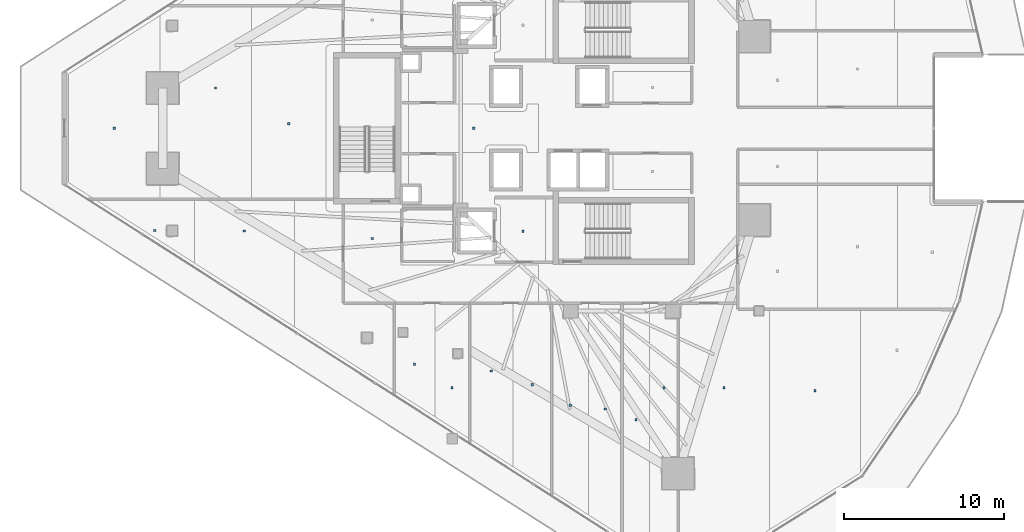
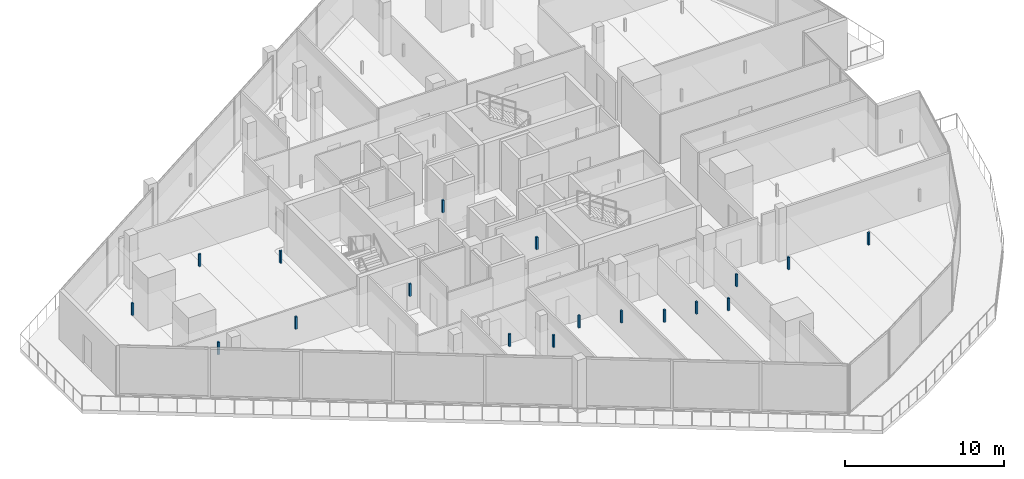
# One storey, part 28 of 37: 18 discrete accessories.
"""IFC4 building model written with IfcOpenShell, lengths in metres."""

import ifcopenshell
import ifcopenshell.guid

model = None  # the IFC model being written
_history = None  # IfcOwnerHistory: only IFC2X3 demands one
_inside = {}  # id of a spatial element -> (the spatial element, [elements in it])
_under = {}  # id of a project, library or spatial element -> (it, [spatial elements below it])
_declared = {}  # id of a project -> (the project, [libraries it declares])
_typed = {}  # id of a type object -> (the type object, [elements of that type])
_made_of = {}  # id of a material, layer set ... -> (it, [elements and type objects made of it])


def new_model(schema):
    """Start an empty IFC model of exactly this schema.

    Asked for "IFC4X3", IfcOpenShell would pick the latest addendum, in which some entities
    have other attributes; the version numbers below select the first issue.
    IFC2X3 requires an IfcOwnerHistory on every rooted entity: one is made here for all.
    """
    global model, _history
    if schema == "IFC4X3":
        model = ifcopenshell.file(schema_version=(4, 3, 0, 0))
    else:
        model = ifcopenshell.file(schema=schema)
    _inside.clear()
    _under.clear()
    _declared.clear()
    _typed.clear()
    _made_of.clear()
    _history = None
    if model.schema == "IFC2X3":
        org = make("IfcOrganization", Name="unknown")
        user = make(
            "IfcPersonAndOrganization",
            ThePerson=make("IfcPerson", FamilyName="unknown"),
            TheOrganization=org,
        )
        app = make(
            "IfcApplication",
            ApplicationDeveloper=org,
            Version="unknown",
            ApplicationFullName="unknown",
            ApplicationIdentifier="unknown",
        )
        _history = make(
            "IfcOwnerHistory",
            OwningUser=user,
            OwningApplication=app,
            ChangeAction="ADDED",
            CreationDate=0,
        )
    return model


def make(cls, **values):
    """One entity of the class cls with the attributes given. An attribute that is None is left unset."""
    return model.create_entity(
        cls, **{name: value for name, value in values.items() if value is not None}
    )


def rooted(cls, **values):
    """An entity with a GlobalId (a new one), such as an element, a storey or a relation."""
    return make(cls, GlobalId=ifcopenshell.guid.new(), OwnerHistory=_history, **values)


def si_unit(unit_type, name, prefix=None):
    """IfcSIUnit, for example si_unit("LENGTHUNIT", "METRE", prefix="MILLI")."""
    return make("IfcSIUnit", UnitType=unit_type, Prefix=prefix, Name=name)


def assignment(units):
    """IfcUnitAssignment: the units of a project."""
    return None if units is None else make("IfcUnitAssignment", Units=units)


def point(xyz):
    """IfcCartesianPoint."""
    return None if xyz is None else make("IfcCartesianPoint", Coordinates=xyz)


def direction(xyz):
    """IfcDirection."""
    return None if xyz is None else make("IfcDirection", DirectionRatios=xyz)


def frame(location, z_axis=None, x_axis=None):
    """IfcAxis2Placement3D, a coordinate frame: its origin and axes. An axis left out is left unset."""
    return make(
        "IfcAxis2Placement3D",
        Location=point(location),
        Axis=direction(z_axis),
        RefDirection=direction(x_axis),
    )


def frame_2d(location, x_axis=None):
    """IfcAxis2Placement2D, a coordinate frame in the plane: its origin and x axis."""
    return make(
        "IfcAxis2Placement2D", Location=point(location), RefDirection=direction(x_axis)
    )


def origin():
    """The frame at (0, 0, 0) with its axes left unset."""
    return frame((0.0, 0.0, 0.0))


def origin_2d():
    """The frame at (0, 0) in the plane with its x axis left unset."""
    return frame_2d((0.0, 0.0))


def place(relative_to, where):
    """IfcLocalPlacement: puts the frame where relative to a parent placement (None: the world)."""
    return make(
        "IfcLocalPlacement", PlacementRelTo=relative_to, RelativePlacement=where
    )


def context(
    kind, dimensions, precision=None, world=None, true_north=None, identifier=None
):
    """IfcGeometricRepresentationContext, for example the 3D "Model" context."""
    return make(
        "IfcGeometricRepresentationContext",
        ContextIdentifier=identifier,
        ContextType=kind,
        CoordinateSpaceDimension=dimensions,
        Precision=precision,
        WorldCoordinateSystem=world,
        TrueNorth=true_north,
    )


def subcontext(parent, identifier, kind, view, scale=None):
    """IfcGeometricRepresentationSubContext, for example "Body" below "Model"."""
    return make(
        "IfcGeometricRepresentationSubContext",
        ContextIdentifier=identifier,
        ContextType=kind,
        ParentContext=parent,
        TargetScale=scale,
        TargetView=view,
    )


def project(units=None, contexts=None):
    """IfcProject with its units and contexts."""
    return rooted(
        "IfcProject",
        Name="project",
        RepresentationContexts=contexts,
        UnitsInContext=assignment(units),
    )


def spatial(cls, under=None, at=None, **own):
    """A site, building, storey or space (cls), placed at a placement, below another one or the project."""
    s = rooted(cls, ObjectPlacement=at, **own)
    if under is not None:
        _under.setdefault(under.id(), (under, []))[1].append(s)
    return s


def profile(cls, at=None, kind="AREA", **sizes):
    """A parametric profile (cls). Its sizes go by their IFC names, for example OverallWidth=200.0."""
    return make(cls, ProfileType=kind, Position=at, **sizes)


def rectangle(**sizes):
    """IfcRectangleProfileDef."""
    return profile("IfcRectangleProfileDef", **sizes)


def extrude(swept, where, along, depth):
    """IfcExtrudedAreaSolid: the profile swept, set in the frame where, extruded along a direction by depth."""
    return make(
        "IfcExtrudedAreaSolid",
        SweptArea=swept,
        Position=where,
        ExtrudedDirection=direction(along),
        Depth=depth,
    )


def shape(context_of_items, identifier, shape_type, items):
    """IfcShapeRepresentation: the items that make up one representation, for example the "Body"."""
    return make(
        "IfcShapeRepresentation",
        ContextOfItems=context_of_items,
        RepresentationIdentifier=identifier,
        RepresentationType=shape_type,
        Items=items,
    )


def material(Name=None, Category=None):
    """IfcMaterial."""
    return make("IfcMaterial", Name=Name, Category=Category)


def made_of(thing, what):
    """Note that an element or type object is made of a material, layer set ...; save() writes the relation."""
    if what is not None:
        _made_of.setdefault(what.id(), (what, []))[1].append(thing)
    return thing


def type_object(cls, material=None, **own):
    """A type object (cls), such as IfcWallType, which elements share."""
    return made_of(rooted(cls, **own), material)


def element(
    cls,
    number,
    at=None,
    inside=None,
    cuts=None,
    type_object=None,
    material=None,
    context=None,
    identifier="Body",
    shape_type=None,
    held_by="IfcProductDefinitionShape",
    body=None,
    shapes=None,
    **own,
):
    """One element of the class cls, such as IfcWall. Its Tag is "e" and its number.

    at: its placement. inside: the storey or other place that contains it. cuts: it is an
    opening in that element (IfcRelVoidsElement). A single representation is given by context,
    identifier, shape_type and body (its items); several are given by shapes. held_by: the class
    of the entity that holds the representations. save() writes the other relations.
    """
    e = rooted(cls, Tag="e%d" % number, ObjectPlacement=at, **own)
    if body is not None:
        shapes = [shape(context, identifier, shape_type, body)]
    if shapes is not None:
        e.Representation = make(held_by, Representations=shapes)
    if inside is not None:
        _inside.setdefault(inside.id(), (inside, []))[1].append(e)
    if cuts is not None:
        rooted(
            "IfcRelVoidsElement", RelatingBuildingElement=cuts, RelatedOpeningElement=e
        )
    if type_object is not None:
        _typed.setdefault(type_object.id(), (type_object, []))[1].append(e)
    return made_of(e, material)


def aggregate(whole, parts):
    """IfcRelAggregates: a whole, such as a stair, and the parts it consists of."""
    return rooted("IfcRelAggregates", RelatingObject=whole, RelatedObjects=parts)


def save(model, path):
    """Write the relations noted so far, then the file.

    IfcRelAggregates (storeys below a building ...), IfcRelContainedInSpatialStructure (elements
    in a storey), IfcRelDefinesByType, IfcRelAssociatesMaterial and IfcRelDeclares: one each for
    every whole, place, type object, material and project.
    """
    for whole, parts in _under.values():
        aggregate(whole, parts)
    for where, things in _inside.values():
        rooted(
            "IfcRelContainedInSpatialStructure",
            RelatedElements=things,
            RelatingStructure=where,
        )
    for kind, things in _typed.values():
        rooted("IfcRelDefinesByType", RelatedObjects=things, RelatingType=kind)
    for what, things in _made_of.values():
        rooted("IfcRelAssociatesMaterial", RelatedObjects=things, RelatingMaterial=what)
    for by, libraries in _declared.values():
        rooted("IfcRelDeclares", RelatingContext=by, RelatedDefinitions=libraries)
    model.write(path)


model = new_model("IFC4")

# Units and contexts
model_context = context("Model", 3, precision=1e-05, world=origin(), true_north=direction((0.0, 1.0)))
body_context = subcontext(model_context, "Body", "Model", "MODEL_VIEW")
ifc_project = project(units=[si_unit("LENGTHUNIT", "METRE"), si_unit("AREAUNIT", "SQUARE_METRE"), si_unit("VOLUMEUNIT", "CUBIC_METRE"), si_unit("PLANEANGLEUNIT", "RADIAN"), si_unit("MASSUNIT", "GRAM", prefix="KILO")], contexts=[model_context])

# Site, building, storey
site_placement = place(None, origin())
site = spatial("IfcSite", under=ifc_project, at=site_placement, CompositionType="ELEMENT")
building_placement = place(site_placement, origin())
building = spatial("IfcBuilding", under=site, at=building_placement, Name="Qorvath Tower", CompositionType="ELEMENT")
storey_placement = place(building_placement, frame((0.0, 0.0, 188.85009765625)))
storey = spatial("IfcBuildingStorey", under=building, at=storey_placement, Name="L43", CompositionType="ELEMENT", Elevation=188.85009765625)

# Discrete accessories
ifc_material = material(Name="Galvanised steel bracket", Category="steel")
discrete_accessory_type = type_object("IfcDiscreteAccessoryType", Name="DA-BRACKET", PredefinedType="BRACKET", material=ifc_material)
for number, where, z_axis, x_axis, name in (
    (1, (-26.590087890625, -6.449951171875, 2.85986328125), (0.0, 0.0, 1.0), (1.0, 0.0, 0.0), "Acoustic Ceiling Suspension Hanger T1-L43-002"),
    (2, (-36.04150390625, -6.9072265625, 2.85986328125), (0.0, 0.0, 1.0), (1.0, 0.0, 0.0), "Acoustic Ceiling Suspension Hanger T1-L43-009"),
    (3, (-29.68212890625, 0.0, 2.85986328125), (0.0, 0.0, 1.0), (1.0, 0.0, 0.0), "Acoustic Ceiling Suspension Hanger T1-L43-011"),
    (4, (-33.3818359375, -14.791748046875, 2.85986328125), (0.0, 0.0, 1.0), (1.0, 0.0, 0.0), "Acoustic Ceiling Suspension Hanger T1-L43-019"),
    (5, (-31.030517578125, -16.264892578125, 2.85986328125), (0.0, 0.0, 1.0), (1.0, 0.0, 0.0), "Acoustic Ceiling Suspension Hanger T1-L43-020"),
    (6, (-28.573974609375, -15.218017578125, 2.85986328125), (0.0, 0.0, 1.0), (1.0, 0.0, 0.0), "Acoustic Ceiling Suspension Hanger T1-L43-021"),
    (7, (-26.01025390625, -16.081298828125, 2.85986328125), (0.0, 0.0, 1.0), (1.0, 0.0, 0.0), "Acoustic Ceiling Suspension Hanger T1-L43-022"),
    (8, (-23.633056640625, -17.360595703125, 2.85986328125), (0.0, 0.0, 1.0), (1.0, 0.0, 0.0), "Acoustic Ceiling Suspension Hanger T1-L43-023"),
    (9, (-21.43701171875, -17.594970703125, 2.85986328125), (0.0, 0.0, 1.0), (1.0, 0.0, 0.0), "Acoustic Ceiling Suspension Hanger T1-L43-024"),
    (10, (-19.508056640625, -18.271484375, 2.85986328125), (0.0, 0.0, 1.0), (1.0, 0.0, 0.0), "Acoustic Ceiling Suspension Hanger T1-L43-025"),
    (11, (-17.755615234375, -16.263671875, 2.85986328125), (0.0, 0.0, 1.0), (1.0, 0.0, 0.0), "Acoustic Ceiling Suspension Hanger T1-L43-026"),
    (12, (-13.99462890625, -16.263671875, 2.85986328125), (0.0, 0.0, 1.0), (1.0, 0.0, 0.0), "Acoustic Ceiling Suspension Hanger T1-L43-027"),
    (13, (-8.290771484375, -16.456787109375, 2.85986328125), (0.0, 0.0, 1.0), (1.0, 0.0, 0.0), "Acoustic Ceiling Suspension Hanger T1-L43-028"),
    (14, (-49.6640625, -6.4033203125, 2.85986328125), (0.0, 0.0, 1.0), (1.0, 0.0, 0.0), "Acoustic Ceiling Suspension Hanger T1-L43-039"),
    (15, (-44.054931640625, -6.43994140625, 2.85986328125), (0.0, 0.0, 1.0), (1.0, 0.0, 0.0), "Acoustic Ceiling Suspension Hanger T1-L43-040"),
    (16, (-52.20458984375, 0.0, 2.85986328125), (0.0, 0.0, 1.0), (1.0, 0.0, 0.0), "Acoustic Ceiling Suspension Hanger T1-L43-042"),
    (17, (-45.864501953125, 2.52783203125, 2.85986328125), (0.0, 0.0, 1.0), (1.0, 0.0, 0.0), "Acoustic Ceiling Suspension Hanger T1-L43-043"),
    (18, (-41.27490234375, 0.284423828125, 2.85986328125), (0.0, 0.0, 1.0), (1.0, 0.0, 0.0), "Acoustic Ceiling Suspension Hanger T1-L43-044"),
):
    element("IfcDiscreteAccessory", number, at=place(storey_placement, frame(where, z_axis=z_axis, x_axis=x_axis)), inside=storey, type_object=discrete_accessory_type, Name=name, PredefinedType="NOTDEFINED", context=body_context, shape_type="SweptSolid", body=[
        extrude(rectangle(XDim=0.139892578125, YDim=0.139892578125, at=origin_2d()), origin(), (0.0, 0.0, 1.0), 0.949951171875),
    ])

save(model, "model.ifc")
